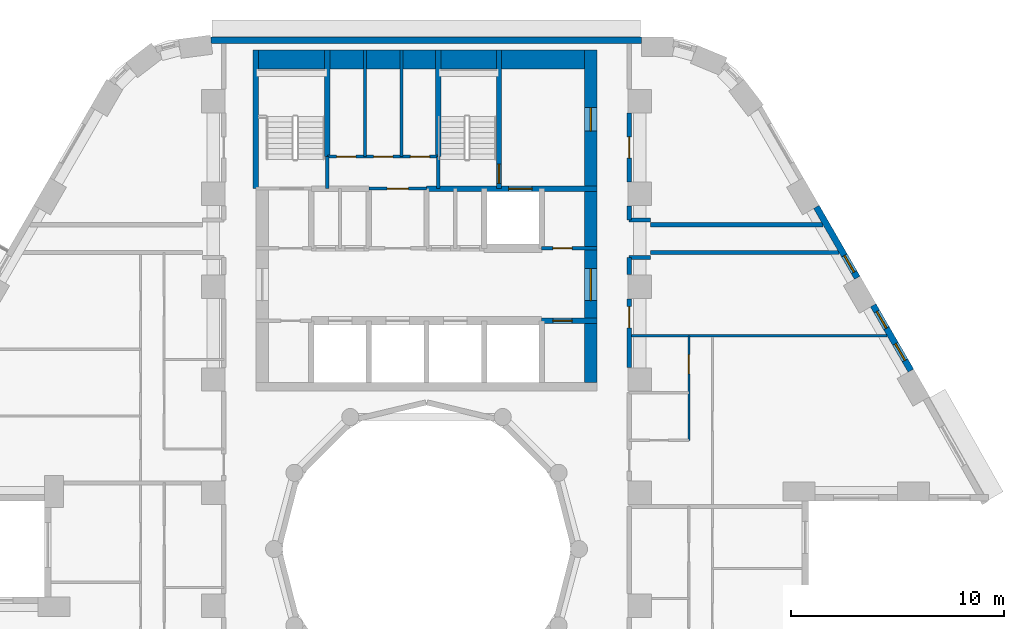
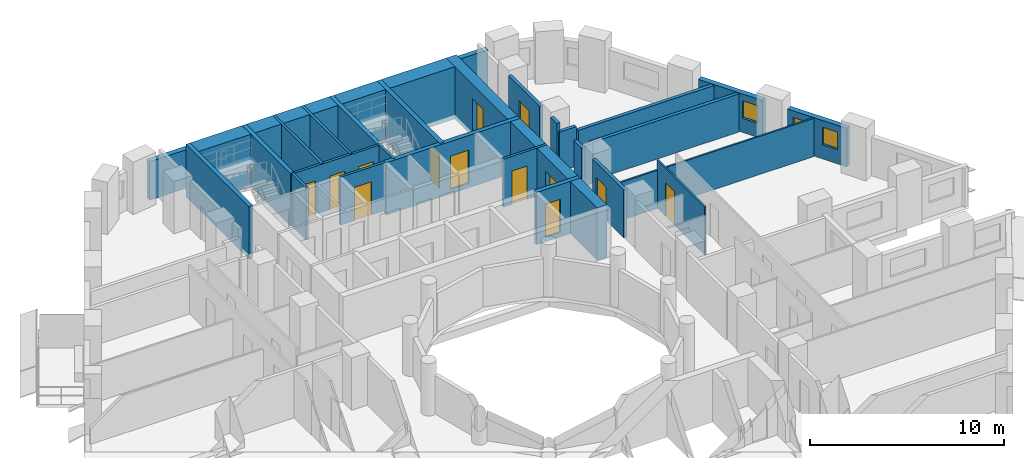
# One storey, part 8 of 13: 28 walls, 13 doors, 3 windows, 16 openings.
"""IFC4 building model written with IfcOpenShell, lengths in metres."""

from ifc_helpers import new_model, si_unit, direction, frame, frame_2d, origin, place, context, subcontext, project, spatial, rectangle, extrude, material, layer, layer_set, type_object, element, fill, save


model = new_model("IFC4")

# Units and contexts
model_context = context("Model", 3, precision=1e-05, world=origin(), true_north=direction((0.0, 1.0)))
body_context = subcontext(model_context, "Body", "Model", "MODEL_VIEW")
ifc_project = project(units=[si_unit("LENGTHUNIT", "METRE"), si_unit("AREAUNIT", "SQUARE_METRE"), si_unit("VOLUMEUNIT", "CUBIC_METRE"), si_unit("PLANEANGLEUNIT", "RADIAN"), si_unit("MASSUNIT", "GRAM", prefix="KILO")], contexts=[model_context])

# Site, building, storey
site_placement = place(None, origin())
site = spatial("IfcSite", under=ifc_project, at=site_placement, CompositionType="ELEMENT")
building_placement = place(site_placement, origin())
building = spatial("IfcBuilding", under=site, at=building_placement, Name="Nakaniwa Court", CompositionType="ELEMENT")
storey_placement = place(building_placement, frame((0.0, 0.0, 41.39990234375)))
storey = spatial("IfcBuildingStorey", under=building, at=storey_placement, Name="L10", CompositionType="ELEMENT", Elevation=41.39990234375)

# Wall, opening, door
ifc_material_1 = material(Name="Acoustic double stud partition")
ifc_layer_1 = layer(ifc_material_1, 0.199951171875)
ifc_layer_set_1 = layer_set([ifc_layer_1], Name="Acoustic double stud partition")
wall_type_1 = type_object("IfcWallType", Name="Acoustic double stud partition 200", PredefinedType="PARTITIONING", material=ifc_layer_set_1)
wall_1_placement = place(storey_placement, frame((89.5, 91.73291015625, 0.0), z_axis=(0.0, 0.0, 1.0), x_axis=(0.0, -1.0, 0.0)))
wall_1 = element("IfcWall", 1, at=wall_1_placement, inside=storey, type_object=wall_type_1, Name="Partition PW-080", PredefinedType="PARTITIONING", context=body_context, shape_type="SweptSolid", body=[
    extrude(rectangle(XDim=3.2158203125, YDim=0.199951171875, at=frame_2d((1.60791015625, 0.0))), origin(), (0.0, 0.0, 1.0), 3.025146484375),
])
opening_1_placement = place(wall_1_placement, frame((0.367919921875, 0.0, 0.0)))
opening_1 = element("IfcOpeningElement", 2, at=opening_1_placement, cuts=wall_1, Name="Opening D-02-06", PredefinedType="OPENING", context=body_context, shape_type="SweptSolid", body=[
    extrude(rectangle(XDim=1.0, YDim=2.10009765625, at=frame_2d((0.5, 1.050048828125))), frame((0.0, 0.10986328125, 0.0), z_axis=(0.0, -1.0, 0.0), x_axis=(1.0, 0.0, 0.0)), (0.0, 0.0, 1.0), 0.219970703125),
])
ifc_material_2 = material(Name="Solid core timber door set, black veneer", Category="wood")
door_type_1 = type_object("IfcDoorType", Name="Internal door 1000", OperationType="NOTDEFINED", PredefinedType="DOOR", material=ifc_material_2)
door_1_placement = place(opening_1_placement, origin())
door_1 = element("IfcDoor", 3, at=door_1_placement, inside=storey, type_object=door_type_1, Name="Door D-02-06 L10-058", OperationType="SINGLE_SWING_LEFT", OverallHeight=2.10009765625, OverallWidth=1.0, PredefinedType="DOOR", context=body_context, shape_type="SweptSolid", body=[
    extrude(rectangle(XDim=1.0, YDim=2.10009765625, at=frame_2d((0.5, 1.050048828125))), frame((0.0, 0.02490234375, 0.0), z_axis=(0.0, -1.0, 0.0), x_axis=(1.0, 0.0, 0.0)), (0.0, 0.0, 1.0), 0.050048828125),
])
fill(opening_1, door_1)

# Walls
wall_2_placement = place(storey_placement, frame((89.5, 92.866943359375, 0.0), z_axis=(0.0, 0.0, 1.0), x_axis=(0.0, 1.0, 0.0)))
element("IfcWall", 4, at=wall_2_placement, inside=storey, type_object=wall_type_1, Name="Partition PW-081", PredefinedType="PARTITIONING", context=body_context, shape_type="SweptSolid", body=[
    extrude(rectangle(XDim=0.81103515625, YDim=0.199951171875, at=frame_2d((0.405517578125, 0.0))), origin(), (0.0, 0.0, 1.0), 3.025146484375),
])
wall_3_placement = place(storey_placement, frame((89.5, 95.422119140625, 0.0), z_axis=(0.0, 0.0, 1.0), x_axis=(0.0, 1.0, 0.0)))
element("IfcWall", 5, at=wall_3_placement, inside=storey, type_object=wall_type_1, Name="Partition PW-082", PredefinedType="PARTITIONING", context=body_context, shape_type="SweptSolid", body=[
    extrude(rectangle(XDim=0.660888671875, YDim=0.199951171875, at=frame_2d((0.33056640625, 0.0))), origin(), (0.0, 0.0, 1.0), 3.025146484375),
])

# Wall, opening, door
wall_4_placement = place(storey_placement, frame((89.5, 100.43310546875, 0.0), z_axis=(0.0, 0.0, 1.0), x_axis=(0.0, -1.0, 0.0)))
wall_4 = element("IfcWall", 6, at=wall_4_placement, inside=storey, type_object=wall_type_1, Name="Partition PW-083", PredefinedType="PARTITIONING", context=body_context, shape_type="SweptSolid", body=[
    extrude(rectangle(XDim=3.216064453125, YDim=0.199951171875, at=frame_2d((1.60791015625, 0.0))), origin(), (0.0, 0.0, 1.0), 3.025146484375),
])
opening_2_placement = place(wall_4_placement, frame((1.10791015625, 0.0, 0.0)))
opening_2 = element("IfcOpeningElement", 7, at=opening_2_placement, cuts=wall_4, Name="Opening D-02-02", PredefinedType="OPENING", context=body_context, shape_type="SweptSolid", body=[
    extrude(rectangle(XDim=1.0, YDim=2.10009765625, at=frame_2d((0.5, 1.050048828125))), frame((0.0, 0.10986328125, 0.0), z_axis=(0.0, -1.0, 0.0), x_axis=(1.0, 0.0, 0.0)), (0.0, 0.0, 1.0), 0.219970703125),
])
door_2_placement = place(opening_2_placement, origin())
door_2 = element("IfcDoor", 8, at=door_2_placement, inside=storey, type_object=door_type_1, Name="Door D-02-02 L10-042", OperationType="SINGLE_SWING_LEFT", OverallHeight=2.10009765625, OverallWidth=1.0, PredefinedType="DOOR", context=body_context, shape_type="SweptSolid", body=[
    extrude(rectangle(XDim=1.0, YDim=2.10009765625, at=frame_2d((0.5, 1.050048828125))), frame((0.0, 0.02490234375, 0.0), z_axis=(0.0, -1.0, 0.0), x_axis=(1.0, 0.0, 0.0)), (0.0, 0.0, 1.0), 0.050048828125),
])
fill(opening_2, door_2)

# Walls
wall_5_placement = place(storey_placement, frame((89.5, 95.425048828125, 0.0), z_axis=(0.0, 0.0, 1.0), x_axis=(1.0, 0.0, 0.0)))
element("IfcWall", 9, at=wall_5_placement, inside=storey, type_object=wall_type_1, Name="Partition PW-086", PredefinedType="PARTITIONING", context=body_context, shape_type="SweptSolid", body=[
    extrude(rectangle(XDim=1.0, YDim=0.199951171875, at=frame_2d((0.5, 0.0))), origin(), (0.0, 0.0, 1.0), 2.505126953125),
])
wall_6_placement = place(storey_placement, frame((90.5, 95.199951171875, 0.0), z_axis=(0.0, 0.0, 1.0), x_axis=(1.0, 0.0, 0.0)))
element("IfcWall", 10, at=wall_6_placement, inside=storey, type_object=wall_type_1, Name="Partition PW-088", PredefinedType="PARTITIONING", context=body_context, shape_type="SweptSolid", body=[
    extrude(rectangle(XDim=8.0908203125, YDim=0.199951171875, at=frame_2d((4.04541015625, 0.0))), origin(), (0.0, 0.0, 1.0), 2.405029296875),
])
wall_7_placement = place(storey_placement, frame((90.5, 93.89990234375, 0.0), z_axis=(0.0, 0.0, 1.0), x_axis=(1.0, 0.0, 0.0)))
element("IfcWall", 11, at=wall_7_placement, inside=storey, type_object=wall_type_1, Name="Partition PW-090", PredefinedType="PARTITIONING", context=body_context, shape_type="SweptSolid", body=[
    extrude(rectangle(XDim=8.84130859375, YDim=0.199951171875, at=frame_2d((4.420654296875, 0.0))), origin(), (0.0, 0.0, 1.0), 2.405029296875),
])
wall_8_placement = place(storey_placement, frame((89.5, 93.675048828125, 0.0), z_axis=(0.0, 0.0, 1.0), x_axis=(1.0, 0.0, 0.0)))
element("IfcWall", 12, at=wall_8_placement, inside=storey, type_object=wall_type_1, Name="Partition PW-092", PredefinedType="PARTITIONING", context=body_context, shape_type="SweptSolid", body=[
    extrude(rectangle(XDim=1.0, YDim=0.199951171875, at=frame_2d((0.5, 0.0))), origin(), (0.0, 0.0, 1.0), 2.505126953125),
])

# Wall, openings, windows
ifc_material_3 = material(Name="Charcoal ceramic cladding")
ifc_layer_2 = layer(ifc_material_3, 0.02, Name="Ceramic cladding")
ifc_material_4 = material(Name="Ventilated air cavity")
ifc_layer_3 = layer(ifc_material_4, 0.04, ventilated=True, Name="Ventilated cavity")
ifc_material_5 = material(Name="Mineral wool insulation")
ifc_layer_4 = layer(ifc_material_5, 0.1, Name="Insulation")
ifc_material_6 = material(Name="Cement bonded sheathing board")
ifc_layer_5 = layer(ifc_material_6, 0.012, Name="Sheathing")
ifc_material_7 = material(Name="Cold-formed galvanised stud frame with mineral wool infill")
ifc_layer_6 = layer(ifc_material_7, 0.1, Name="Stud frame")
ifc_material_8 = material(Name="Fire-rated gypsum plasterboard lining")
ifc_layer_7 = layer(ifc_material_8, 0.028, Name="Lining")
ifc_layer_set_2 = layer_set([ifc_layer_2, ifc_layer_3, ifc_layer_4, ifc_layer_5, ifc_layer_6, ifc_layer_7], Name="Charcoal ceramic faced external wall system")
wall_type_2 = type_object("IfcWallType", Name="Black ceramic faced external wall 300", PredefinedType="SOLIDWALL", material=ifc_layer_set_2)
wall_9_placement = place(storey_placement, frame((102.709716796875, 88.36572265625, 0.0), z_axis=(0.0, 0.0, 1.0), x_axis=(-0.499977402622, 0.866038449993, 0.0)))
wall_9 = element("IfcWall", 13, at=wall_9_placement, inside=storey, type_object=wall_type_2, Name="L10 external wall 03", PredefinedType="SOLIDWALL", context=body_context, shape_type="SweptSolid", body=[
    extrude(rectangle(XDim=3.536865234375, YDim=0.300048828125, at=frame_2d((1.7685546875, 0.0))), origin(), (0.0, 0.0, 1.0), 2.425048828125),
])
opening_3_placement = place(wall_9_placement, frame((0.5546875, 0.0, 0.89990234375)))
opening_3 = element("IfcOpeningElement", 14, at=opening_3_placement, cuts=wall_9, Name="Opening W9.04", PredefinedType="OPENING", context=body_context, shape_type="SweptSolid", body=[
    extrude(rectangle(XDim=0.89990234375, YDim=1.10009765625, at=frame_2d((0.449951171875, 0.550048828125))), frame((0.0, 0.159912109375, 0.0), z_axis=(0.0, -1.0, 0.0), x_axis=(1.0, 0.0, 0.0)), (0.0, 0.0, 1.0), 0.320068359375),
])
opening_4_placement = place(wall_9_placement, frame((2.299072265625, 0.0, 0.89990234375)))
opening_4 = element("IfcOpeningElement", 15, at=opening_4_placement, cuts=wall_9, Name="Opening W9.05", PredefinedType="OPENING", context=body_context, shape_type="SweptSolid", body=[
    extrude(rectangle(XDim=0.89990234375, YDim=1.10009765625, at=frame_2d((0.449951171875, 0.550048828125))), frame((0.0, 0.159912109375, 0.0), z_axis=(0.0, -1.0, 0.0), x_axis=(1.0, 0.0, 0.0)), (0.0, 0.0, 1.0), 0.320068359375),
])
ifc_material_9 = material(Name="Black anodised aluminium frame with dark low-E laminated double glazing", Category="aluminium")
window_type = type_object("IfcWindowType", Name="Dark glass window 900x1100 sill 900", PartitioningType="SINGLE_PANEL", PredefinedType="WINDOW", material=ifc_material_9)
window_1_placement = place(opening_3_placement, origin())
window_1 = element("IfcWindow", 16, at=window_1_placement, inside=storey, type_object=window_type, Name="L10 living window 03-0", OverallHeight=1.10009765625, OverallWidth=0.89990234375, PartitioningType="SINGLE_PANEL", PredefinedType="WINDOW", context=body_context, shape_type="SweptSolid", body=[
    extrude(rectangle(XDim=0.89990234375, YDim=1.10009765625, at=frame_2d((0.449951171875, 0.550048828125))), frame((0.0, 0.030029296875, 0.0), z_axis=(0.0, -1.0, 0.0), x_axis=(1.0, 0.0, 0.0)), (0.0, 0.0, 1.0), 0.06005859375),
])
fill(opening_3, window_1)
window_2_placement = place(opening_4_placement, origin())
window_2 = element("IfcWindow", 17, at=window_2_placement, inside=storey, type_object=window_type, Name="L10 habitable room window 03-1", OverallHeight=1.10009765625, OverallWidth=0.89990234375, PartitioningType="SINGLE_PANEL", PredefinedType="WINDOW", context=body_context, shape_type="SweptSolid", body=[
    extrude(rectangle(XDim=0.89990234375, YDim=1.10009765625, at=frame_2d((0.449951171875, 0.550048828125))), frame((0.0, 0.030029296875, 0.0), z_axis=(0.0, -1.0, 0.0), x_axis=(1.0, 0.0, 0.0)), (0.0, 0.0, 1.0), 0.06005859375),
])
fill(opening_4, window_2)

# Wall, opening, window
wall_10_placement = place(storey_placement, frame((100.1953125, 92.720703125, 0.0), z_axis=(0.0, 0.0, 1.0), x_axis=(-0.500001735503, 0.866024401789, 0.0)))
wall_10 = element("IfcWall", 18, at=wall_10_placement, inside=storey, type_object=wall_type_2, Name="L10 external wall 04", PredefinedType="SOLIDWALL", context=body_context, shape_type="SweptSolid", body=[
    extrude(rectangle(XDim=3.833984375, YDim=0.300048828125, at=frame_2d((1.9169921875, 0.0))), origin(), (0.0, 0.0, 1.0), 2.425048828125),
])
opening_5_placement = place(wall_10_placement, frame((0.304931640625, 0.0, 0.89990234375)))
opening_5 = element("IfcOpeningElement", 19, at=opening_5_placement, cuts=wall_10, Name="Opening W9.06", PredefinedType="OPENING", context=body_context, shape_type="SweptSolid", body=[
    extrude(rectangle(XDim=0.89990234375, YDim=1.10009765625, at=frame_2d((0.449951171875, 0.550048828125))), frame((0.0, 0.159912109375, 0.0), z_axis=(0.0, -1.0, 0.0), x_axis=(1.0, 0.0, 0.0)), (0.0, 0.0, 1.0), 0.320068359375),
])
window_3_placement = place(opening_5_placement, origin())
window_3 = element("IfcWindow", 20, at=window_3_placement, inside=storey, type_object=window_type, Name="L10 habitable room window 04-0", OverallHeight=1.10009765625, OverallWidth=0.89990234375, PartitioningType="SINGLE_PANEL", PredefinedType="WINDOW", context=body_context, shape_type="SweptSolid", body=[
    extrude(rectangle(XDim=0.89990234375, YDim=1.10009765625, at=frame_2d((0.449951171875, 0.550048828125))), frame((0.0, 0.030029296875, 0.0), z_axis=(0.0, -1.0, 0.0), x_axis=(1.0, 0.0, 0.0)), (0.0, 0.0, 1.0), 0.06005859375),
])
fill(opening_5, window_3)

# Wall
wall_11_placement = place(storey_placement, frame((90.07861328125, 103.85009765625, 0.0), z_axis=(0.0, 0.0, 1.0), x_axis=(-1.0, 0.0, 0.0)))
element("IfcWall", 21, at=wall_11_placement, inside=storey, type_object=wall_type_2, Name="L10 external wall 08", PredefinedType="SOLIDWALL", context=body_context, shape_type="SweptSolid", body=[
    extrude(rectangle(XDim=20.1904296875, YDim=0.300048828125, at=frame_2d((10.09521484375, 0.0))), origin(), (0.0, 0.0, 1.0), 2.425048828125),
])

# Wall, opening, door
ifc_material_10 = material(Name="Blockwork partition", Category="masonry")
ifc_layer_8 = layer(ifc_material_10, 0.14990234375)
ifc_layer_set_3 = layer_set([ifc_layer_8], Name="Blockwork partition")
wall_type_3 = type_object("IfcWallType", Name="Blockwork partition 150", PredefinedType="PARTITIONING", material=ifc_layer_set_3)
wall_12_placement = place(storey_placement, frame((85.39697265625, 94.10009765625, 0.0), z_axis=(0.0, 0.0, 1.0), x_axis=(1.0, 0.0, 0.0)))
wall_12 = element("IfcWall", 22, at=wall_12_placement, inside=storey, type_object=wall_type_3, Name="Partition PW-018", PredefinedType="PARTITIONING", context=body_context, shape_type="SweptSolid", body=[
    extrude(rectangle(XDim=2.60302734375, YDim=0.14990234375, at=frame_2d((1.301513671875, 0.0))), origin(), (0.0, 0.0, 1.0), 3.025146484375),
])
opening_6_placement = place(wall_12_placement, frame((0.528076171875, 0.0, 0.0)))
opening_6 = element("IfcOpeningElement", 23, at=opening_6_placement, cuts=wall_12, Name="Opening D-05-07", PredefinedType="OPENING", context=body_context, shape_type="SweptSolid", body=[
    extrude(rectangle(XDim=0.89990234375, YDim=2.10009765625, at=frame_2d((0.449951171875, 1.050048828125))), frame((0.0, 0.0849609375, 0.0), z_axis=(0.0, -1.0, 0.0), x_axis=(1.0, 0.0, 0.0)), (0.0, 0.0, 1.0), 0.169921875),
])
ifc_material_11 = material(Name="Fire rated steel door set", Category="steel")
door_type_2 = type_object("IfcDoorType", Name="Service room door 900", OperationType="NOTDEFINED", PredefinedType="DOOR", material=ifc_material_11)
door_3_placement = place(opening_6_placement, origin())
door_3 = element("IfcDoor", 24, at=door_3_placement, inside=storey, type_object=door_type_2, Name="Door D-05-07 L10-009", OperationType="SINGLE_SWING_RIGHT", OverallHeight=2.10009765625, OverallWidth=0.89990234375, PredefinedType="DOOR", context=body_context, shape_type="SweptSolid", body=[
    extrude(rectangle(XDim=0.89990234375, YDim=2.10009765625, at=frame_2d((0.449951171875, 1.050048828125))), frame((0.0, 0.02490234375, 0.0), z_axis=(0.0, -1.0, 0.0), x_axis=(1.0, 0.0, 0.0)), (0.0, 0.0, 1.0), 0.050048828125),
])
fill(opening_6, door_3)

wall_13_placement = place(storey_placement, frame((77.300048828125, 96.89990234375, 0.0), z_axis=(0.0, 0.0, 1.0), x_axis=(1.0, 0.0, 0.0)))
wall_13 = element("IfcWall", 25, at=wall_13_placement, inside=storey, type_object=wall_type_3, Name="Partition PW-026", PredefinedType="PARTITIONING", context=body_context, shape_type="SweptSolid", body=[
    extrude(rectangle(XDim=2.699951171875, YDim=0.14990234375, at=frame_2d((1.35009765625, 0.0))), origin(), (0.0, 0.0, 1.0), 3.025146484375),
])
opening_7_placement = place(wall_13_placement, frame((0.85009765625, 0.0, 0.0)))
opening_7 = element("IfcOpeningElement", 26, at=opening_7_placement, cuts=wall_13, Name="Opening D-23-01", PredefinedType="OPENING", context=body_context, shape_type="SweptSolid", body=[
    extrude(rectangle(XDim=1.0, YDim=2.10009765625, at=frame_2d((0.5, 1.050048828125))), frame((0.0, 0.0849609375, 0.0), z_axis=(0.0, -1.0, 0.0), x_axis=(1.0, 0.0, 0.0)), (0.0, 0.0, 1.0), 0.169921875),
])
door_type_3 = type_object("IfcDoorType", Name="Service room door 1000", OperationType="NOTDEFINED", PredefinedType="DOOR", material=ifc_material_11)
door_4_placement = place(opening_7_placement, origin())
door_4 = element("IfcDoor", 27, at=door_4_placement, inside=storey, type_object=door_type_3, Name="Door D-23-01 L10-010", OperationType="SINGLE_SWING_LEFT", OverallHeight=2.10009765625, OverallWidth=1.0, PredefinedType="DOOR", context=body_context, shape_type="SweptSolid", body=[
    extrude(rectangle(XDim=1.0, YDim=2.10009765625, at=frame_2d((0.5, 1.050048828125))), frame((0.0, 0.02490234375, 0.0), z_axis=(0.0, -1.0, 0.0), x_axis=(1.0, 0.0, 0.0)), (0.0, 0.0, 1.0), 0.050048828125),
])
fill(opening_7, door_4)

# Wall, openings, doors
wall_14_placement = place(storey_placement, frame((75.35009765625, 98.39990234375, 0.0), z_axis=(0.0, 0.0, 1.0), x_axis=(1.0, 0.0, 0.0)))
wall_14 = element("IfcWall", 28, at=wall_14_placement, inside=storey, type_object=wall_type_3, Name="Partition PW-034", PredefinedType="PARTITIONING", context=body_context, shape_type="SweptSolid", body=[
    extrude(rectangle(XDim=5.199951171875, YDim=0.14990234375, at=frame_2d((2.60009765625, 0.0))), origin(), (0.0, 0.0, 1.0), 3.025146484375),
])
opening_8_placement = place(wall_14_placement, frame((0.43408203125, 0.0, 0.0)))
opening_8 = element("IfcOpeningElement", 29, at=opening_8_placement, cuts=wall_14, Name="Opening D-05-08", PredefinedType="OPENING", context=body_context, shape_type="SweptSolid", body=[
    extrude(rectangle(XDim=0.89990234375, YDim=2.10009765625, at=frame_2d((0.449951171875, 1.050048828125))), frame((0.0, 0.0849609375, 0.0), z_axis=(0.0, -1.0, 0.0), x_axis=(1.0, 0.0, 0.0)), (0.0, 0.0, 1.0), 0.169921875),
])
opening_9_placement = place(wall_14_placement, frame((2.176025390625, 0.0, 0.0)))
opening_9 = element("IfcOpeningElement", 30, at=opening_9_placement, cuts=wall_14, Name="Opening D-05-09", PredefinedType="OPENING", context=body_context, shape_type="SweptSolid", body=[
    extrude(rectangle(XDim=0.89990234375, YDim=2.10009765625, at=frame_2d((0.449951171875, 1.050048828125))), frame((0.0, 0.0849609375, 0.0), z_axis=(0.0, -1.0, 0.0), x_axis=(1.0, 0.0, 0.0)), (0.0, 0.0, 1.0), 0.169921875),
])
opening_10_placement = place(wall_14_placement, frame((3.89208984375, 0.0, 0.0)))
opening_10 = element("IfcOpeningElement", 31, at=opening_10_placement, cuts=wall_14, Name="Opening D-05-10", PredefinedType="OPENING", context=body_context, shape_type="SweptSolid", body=[
    extrude(rectangle(XDim=0.89990234375, YDim=2.10009765625, at=frame_2d((0.449951171875, 1.050048828125))), frame((0.0, 0.0849609375, 0.0), z_axis=(0.0, -1.0, 0.0), x_axis=(1.0, 0.0, 0.0)), (0.0, 0.0, 1.0), 0.169921875),
])
door_5_placement = place(opening_8_placement, origin())
door_5 = element("IfcDoor", 32, at=door_5_placement, inside=storey, type_object=door_type_2, Name="Door D-05-08 L10-011", OperationType="SINGLE_SWING_RIGHT", OverallHeight=2.10009765625, OverallWidth=0.89990234375, PredefinedType="DOOR", context=body_context, shape_type="SweptSolid", body=[
    extrude(rectangle(XDim=0.89990234375, YDim=2.10009765625, at=frame_2d((0.449951171875, 1.050048828125))), frame((0.0, 0.02490234375, 0.0), z_axis=(0.0, -1.0, 0.0), x_axis=(1.0, 0.0, 0.0)), (0.0, 0.0, 1.0), 0.050048828125),
])
fill(opening_8, door_5)
door_6_placement = place(opening_9_placement, origin())
door_6 = element("IfcDoor", 33, at=door_6_placement, inside=storey, type_object=door_type_2, Name="Door D-05-09 L10-012", OperationType="SINGLE_SWING_LEFT", OverallHeight=2.10009765625, OverallWidth=0.89990234375, PredefinedType="DOOR", context=body_context, shape_type="SweptSolid", body=[
    extrude(rectangle(XDim=0.89990234375, YDim=2.10009765625, at=frame_2d((0.449951171875, 1.050048828125))), frame((0.0, 0.02490234375, 0.0), z_axis=(0.0, -1.0, 0.0), x_axis=(1.0, 0.0, 0.0)), (0.0, 0.0, 1.0), 0.050048828125),
])
fill(opening_9, door_6)
door_7_placement = place(opening_10_placement, origin())
door_7 = element("IfcDoor", 34, at=door_7_placement, inside=storey, type_object=door_type_2, Name="Door D-05-10 L10-013", OperationType="SINGLE_SWING_RIGHT", OverallHeight=2.10009765625, OverallWidth=0.89990234375, PredefinedType="DOOR", context=body_context, shape_type="SweptSolid", body=[
    extrude(rectangle(XDim=0.89990234375, YDim=2.10009765625, at=frame_2d((0.449951171875, 1.050048828125))), frame((0.0, 0.02490234375, 0.0), z_axis=(0.0, -1.0, 0.0), x_axis=(1.0, 0.0, 0.0)), (0.0, 0.0, 1.0), 0.050048828125),
])
fill(opening_10, door_7)

# Walls
for number, where, z_axis, x_axis, name in (
    (35, (77.117919921875, 98.39990234375, 0.0), (0.0, 0.0, 1.0), (0.0, 1.0, 0.0), "Partition PW-035"),
    (36, (78.833984375, 98.39990234375, 0.0), (0.0, 0.0, 1.0), (0.0, 1.0, 0.0), "Partition PW-036"),
):
    element("IfcWall", number, at=place(storey_placement, frame(where, z_axis=z_axis, x_axis=x_axis)), inside=storey, type_object=wall_type_3, Name=name, PredefinedType="PARTITIONING", context=body_context, shape_type="SweptSolid", body=[
        extrude(rectangle(XDim=5.0, YDim=0.14990234375, at=frame_2d((2.5, 0.0))), origin(), (0.0, 0.0, 1.0), 3.025146484375),
    ])

# Wall, openings, doors
ifc_material_12 = material(Name="Concrete C100/115", Category="concrete")
ifc_layer_9 = layer(ifc_material_12, 0.60009765625)
ifc_layer_set_4 = layer_set([ifc_layer_9], Name="Concrete C100/115")
wall_type_4 = type_object("IfcWallType", Name="Concrete core side wall 600 C100", PredefinedType="SHEAR", material=ifc_layer_set_4)
wall_15_placement = place(storey_placement, frame((87.699951171875, 103.39990234375, -0.27490234375), z_axis=(0.0, 0.0, 1.0), x_axis=(0.0, -1.0, 0.0)))
wall_15 = element("IfcWall", 37, at=wall_15_placement, inside=storey, type_object=wall_type_4, Name="Core wall SW-15", PredefinedType="SHEAR", context=body_context, shape_type="SweptSolid", body=[
    extrude(rectangle(XDim=15.599853515625, YDim=0.60009765625, at=frame_2d((7.7998046875, 0.0))), origin(), (0.0, 0.0, 1.0), 3.300048828125),
])
opening_11_placement = place(wall_15_placement, frame((10.25, 0.0, 0.27490234375)))
opening_11 = element("IfcOpeningElement", 38, at=opening_11_placement, cuts=wall_15, Name="Opening D-07-01", PredefinedType="OPENING", context=body_context, shape_type="SweptSolid", body=[
    extrude(rectangle(XDim=1.5, YDim=2.10009765625, at=frame_2d((0.75, 1.050048828125))), frame((0.0, 0.31005859375, 0.0), z_axis=(0.0, -1.0, 0.0), x_axis=(1.0, 0.0, 0.0)), (0.0, 0.0, 1.0), 0.6201171875),
])
opening_12_placement = place(wall_15_placement, frame((2.699951171875, 0.0, 0.27490234375)))
opening_12 = element("IfcOpeningElement", 39, at=opening_12_placement, cuts=wall_15, Name="Opening D-10-01", PredefinedType="OPENING", context=body_context, shape_type="SweptSolid", body=[
    extrude(rectangle(XDim=1.10009765625, YDim=2.10009765625, at=frame_2d((0.550048828125, 1.050048828125))), frame((0.0, 0.31005859375, 0.0), z_axis=(0.0, -1.0, 0.0), x_axis=(1.0, 0.0, 0.0)), (0.0, 0.0, 1.0), 0.6201171875),
])
door_type_4 = type_object("IfcDoorType", Name="Firefighting lobby door 1100", OperationType="NOTDEFINED", PredefinedType="DOOR", material=ifc_material_11)
door_8_placement = place(opening_12_placement, origin())
door_8 = element("IfcDoor", 40, at=door_8_placement, inside=storey, type_object=door_type_4, Name="Door D-10-01 L10-062", OperationType="SINGLE_SWING_LEFT", OverallHeight=2.10009765625, OverallWidth=1.10009765625, PredefinedType="DOOR", context=body_context, shape_type="SweptSolid", body=[
    extrude(rectangle(XDim=1.10009765625, YDim=2.10009765625, at=frame_2d((0.550048828125, 1.050048828125))), frame((0.0, 0.02490234375, 0.0), z_axis=(0.0, -1.0, 0.0), x_axis=(1.0, 0.0, 0.0)), (0.0, 0.0, 1.0), 0.050048828125),
])
fill(opening_12, door_8)
ifc_material_13 = material(Name="Glazed fire rated steel double door set", Category="steel")
door_type_5 = type_object("IfcDoorType", Name="Lobby double door 1500", OperationType="NOTDEFINED", PredefinedType="DOOR", material=ifc_material_13)
door_9_placement = place(opening_11_placement, origin())
door_9 = element("IfcDoor", 41, at=door_9_placement, inside=storey, type_object=door_type_5, Name="Door D-07-01 L10-060", OperationType="DOUBLE_DOOR_SINGLE_SWING", OverallHeight=2.10009765625, OverallWidth=1.5, PredefinedType="DOOR", context=body_context, shape_type="SweptSolid", body=[
    extrude(rectangle(XDim=1.5, YDim=2.10009765625, at=frame_2d((0.75, 1.050048828125))), frame((0.0, 0.02490234375, 0.0), z_axis=(0.0, -1.0, 0.0), x_axis=(1.0, 0.0, 0.0)), (0.0, 0.0, 1.0), 0.050048828125),
])
fill(opening_11, door_9)

# Walls
ifc_layer_10 = layer(ifc_material_12, 0.14990234375)
ifc_layer_set_5 = layer_set([ifc_layer_10], Name="Concrete C100/115")
wall_type_5 = type_object("IfcWallType", Name="Concrete core wall 150 C100", PredefinedType="SHEAR", material=ifc_layer_set_5)
for number, where, z_axis, x_axis, name in (
    (42, (75.35009765625, 96.89990234375, -0.27490234375), (0.0, 0.0, 1.0), (0.0, 1.0, 0.0), "Core wall SW-28"),
    (43, (80.550048828125, 96.89990234375, -0.27490234375), (0.0, 0.0, 1.0), (0.0, 1.0, 0.0), "Core wall SW-32"),
):
    element("IfcWall", number, at=place(storey_placement, frame(where, z_axis=z_axis, x_axis=x_axis)), inside=storey, type_object=wall_type_5, Name=name, PredefinedType="SHEAR", context=body_context, shape_type="SweptSolid", body=[
        extrude(rectangle(XDim=1.503173828125, YDim=0.14990234375, at=frame_2d((0.75146484375, 0.0))), origin(), (0.0, 0.0, 1.0), 3.300048828125),
    ])
ifc_layer_11 = layer(ifc_material_12, 0.25)
ifc_layer_set_6 = layer_set([ifc_layer_11], Name="Concrete C100/115")
wall_type_6 = type_object("IfcWallType", Name="Concrete core wall 250 C100", PredefinedType="SHEAR", material=ifc_layer_set_6)
wall_16_placement = place(storey_placement, frame((72.0, 96.89990234375, -0.27490234375), z_axis=(0.0, 0.0, 1.0), x_axis=(0.0, 1.0, 0.0)))
element("IfcWall", 44, at=wall_16_placement, inside=storey, type_object=wall_type_6, Name="Core wall SW-30", PredefinedType="SHEAR", context=body_context, shape_type="SweptSolid", body=[
    extrude(rectangle(XDim=6.5, YDim=0.25, at=frame_2d((3.25, 0.0))), origin(), (0.0, 0.0, 1.0), 3.300048828125),
])
ifc_layer_12 = layer(ifc_material_12, 0.89990234375)
ifc_layer_set_7 = layer_set([ifc_layer_12], Name="Concrete C100/115")
wall_type_7 = type_object("IfcWallType", Name="Concrete core wall 900 C100", PredefinedType="SHEAR", material=ifc_layer_set_7)
wall_17_placement = place(storey_placement, frame((72.00390625, 102.949951171875, -0.27490234375), z_axis=(0.0, 0.0, 1.0), x_axis=(1.0, 0.0, 0.0)))
element("IfcWall", 45, at=wall_17_placement, inside=storey, type_object=wall_type_7, Name="Core wall SW-139", PredefinedType="SHEAR", context=body_context, shape_type="SweptSolid", body=[
    extrude(rectangle(XDim=15.9921875, YDim=0.89990234375, at=frame_2d((7.99609375, 0.0))), origin(), (0.0, 0.0, 1.0), 3.300048828125),
])

# Wall, opening, door
ifc_layer_13 = layer(ifc_material_12, 0.25)
ifc_layer_set_8 = layer_set([ifc_layer_13], Name="Concrete C100/115")
wall_type_8 = type_object("IfcWallType", Name="Concrete shaft wall 250 C100", PredefinedType="SHEAR", material=ifc_layer_set_8)
wall_18_placement = place(storey_placement, frame((88.0, 90.699951171875, -0.27490234375), z_axis=(0.0, 0.0, 1.0), x_axis=(-1.0, 0.0, 0.0)))
wall_18 = element("IfcWall", 46, at=wall_18_placement, inside=storey, type_object=wall_type_8, Name="Core wall SW-14", PredefinedType="SHEAR", context=body_context, shape_type="SweptSolid", body=[
    extrude(rectangle(XDim=2.60009765625, YDim=0.25, at=frame_2d((1.300048828125, 0.0))), origin(), (0.0, 0.0, 1.0), 3.300048828125),
])
opening_13_placement = place(wall_18_placement, frame((1.175048828125, 0.0, 0.27490234375)))
opening_13 = element("IfcOpeningElement", 47, at=opening_13_placement, cuts=wall_18, Name="Opening D-05-02", PredefinedType="OPENING", context=body_context, shape_type="SweptSolid", body=[
    extrude(rectangle(XDim=0.89990234375, YDim=2.10009765625, at=frame_2d((0.449951171875, 1.050048828125))), frame((0.0, 0.135009765625, 0.0), z_axis=(0.0, -1.0, 0.0), x_axis=(1.0, 0.0, 0.0)), (0.0, 0.0, 1.0), 0.27001953125),
])
door_10_placement = place(opening_13_placement, origin())
door_10 = element("IfcDoor", 48, at=door_10_placement, inside=storey, type_object=door_type_2, Name="Door D-05-02 L10-002", OperationType="SINGLE_SWING_LEFT", OverallHeight=2.10009765625, OverallWidth=0.89990234375, PredefinedType="DOOR", context=body_context, shape_type="SweptSolid", body=[
    extrude(rectangle(XDim=0.89990234375, YDim=2.10009765625, at=frame_2d((0.449951171875, 1.050048828125))), frame((0.0, 0.02490234375, 0.0), z_axis=(0.0, -1.0, 0.0), x_axis=(1.0, 0.0, 0.0)), (0.0, 0.0, 1.0), 0.050048828125),
])
fill(opening_13, door_10)

wall_19_placement = place(storey_placement, frame((80.0, 96.89990234375, -0.27490234375), z_axis=(0.0, 0.0, 1.0), x_axis=(1.0, 0.0, 0.0)))
wall_19 = element("IfcWall", 49, at=wall_19_placement, inside=storey, type_object=wall_type_8, Name="Core wall SW-25", PredefinedType="SHEAR", context=body_context, shape_type="SweptSolid", body=[
    extrude(rectangle(XDim=8.0, YDim=0.25, at=frame_2d((4.0, 0.0))), origin(), (0.0, 0.0, 1.0), 3.300048828125),
])
opening_14_placement = place(wall_19_placement, frame((3.84912109375, 0.0, 0.27490234375)))
opening_14 = element("IfcOpeningElement", 50, at=opening_14_placement, cuts=wall_19, Name="Opening LD04", PredefinedType="OPENING", context=body_context, shape_type="SweptSolid", body=[
    extrude(rectangle(XDim=1.10009765625, YDim=2.10009765625, at=frame_2d((0.550048828125, 1.050048828125))), frame((0.0, 0.135009765625, 0.0), z_axis=(0.0, -1.0, 0.0), x_axis=(1.0, 0.0, 0.0)), (0.0, 0.0, 1.0), 0.27001953125),
])
ifc_material_14 = material(Name="Stainless steel sliding lift landing door", Category="steel")
door_type_6 = type_object("IfcDoorType", Name="Lift landing door 1100", OperationType="NOTDEFINED", PredefinedType="DOOR", material=ifc_material_14)
door_11_placement = place(opening_14_placement, origin())
door_11 = element("IfcDoor", 51, at=door_11_placement, inside=storey, type_object=door_type_6, Name="Lift landing door LD04 L10-004", OperationType="SLIDING_TO_LEFT", OverallHeight=2.10009765625, OverallWidth=1.10009765625, PredefinedType="DOOR", context=body_context, shape_type="SweptSolid", body=[
    extrude(rectangle(XDim=1.10009765625, YDim=2.10009765625, at=frame_2d((0.550048828125, 1.050048828125))), frame((0.0, 0.02490234375, 0.0), z_axis=(0.0, -1.0, 0.0), x_axis=(1.0, 0.0, 0.0)), (0.0, 0.0, 1.0), 0.050048828125),
])
fill(opening_14, door_11)

# Wall
wall_20_placement = place(storey_placement, frame((75.35009765625, 98.39697265625, -0.27490234375), z_axis=(0.0, 0.0, 1.0), x_axis=(0.0, 1.0, 0.0)))
element("IfcWall", 52, at=wall_20_placement, inside=storey, type_object=wall_type_8, Name="Core wall SW-29", PredefinedType="SHEAR", context=body_context, shape_type="SweptSolid", body=[
    extrude(rectangle(XDim=5.0029296875, YDim=0.25, at=frame_2d((2.50146484375, 0.0))), origin(), (0.0, 0.0, 1.0), 3.300048828125),
])

# Wall, opening, door
wall_21_placement = place(storey_placement, frame((83.39990234375, 103.39990234375, -0.27490234375), z_axis=(0.0, 0.0, 1.0), x_axis=(0.0, -1.0, 0.0)))
wall_21 = element("IfcWall", 53, at=wall_21_placement, inside=storey, type_object=wall_type_8, Name="Core wall SW-31", PredefinedType="SHEAR", context=body_context, shape_type="SweptSolid", body=[
    extrude(rectangle(XDim=6.5, YDim=0.25, at=frame_2d((3.25, 0.0))), origin(), (0.0, 0.0, 1.0), 3.300048828125),
])
opening_15_placement = place(wall_21_placement, frame((5.35009765625, 0.0, 0.27490234375)))
opening_15 = element("IfcOpeningElement", 54, at=opening_15_placement, cuts=wall_21, Name="Opening D-11-01", PredefinedType="OPENING", context=body_context, shape_type="SweptSolid", body=[
    extrude(rectangle(XDim=0.89990234375, YDim=2.10009765625, at=frame_2d((0.449951171875, 1.050048828125))), frame((0.0, 0.135009765625, 0.0), z_axis=(0.0, -1.0, 0.0), x_axis=(1.0, 0.0, 0.0)), (0.0, 0.0, 1.0), 0.27001953125),
])
door_type_7 = type_object("IfcDoorType", Name="Stair door 900", OperationType="NOTDEFINED", PredefinedType="DOOR", material=ifc_material_11)
door_12_placement = place(opening_15_placement, origin())
door_12 = element("IfcDoor", 55, at=door_12_placement, inside=storey, type_object=door_type_7, Name="Door D-11-01 L10-015", OperationType="SINGLE_SWING_LEFT", OverallHeight=2.10009765625, OverallWidth=0.89990234375, PredefinedType="DOOR", context=body_context, shape_type="SweptSolid", body=[
    extrude(rectangle(XDim=0.89990234375, YDim=2.10009765625, at=frame_2d((0.449951171875, 1.050048828125))), frame((0.0, 0.02490234375, 0.0), z_axis=(0.0, -1.0, 0.0), x_axis=(1.0, 0.0, 0.0)), (0.0, 0.0, 1.0), 0.050048828125),
])
fill(opening_15, door_12)

# Wall
wall_22_placement = place(storey_placement, frame((80.550048828125, 98.39697265625, -0.27490234375), z_axis=(0.0, 0.0, 1.0), x_axis=(0.0, 1.0, 0.0)))
element("IfcWall", 56, at=wall_22_placement, inside=storey, type_object=wall_type_8, Name="Core wall SW-33", PredefinedType="SHEAR", context=body_context, shape_type="SweptSolid", body=[
    extrude(rectangle(XDim=5.0029296875, YDim=0.25, at=frame_2d((2.50146484375, 0.0))), origin(), (0.0, 0.0, 1.0), 3.300048828125),
])

# Wall, opening, door
ifc_material_15 = material(Name="Single stud plasterboard partition")
ifc_layer_14 = layer(ifc_material_15, 0.10009765625)
ifc_layer_set_9 = layer_set([ifc_layer_14], Name="Single stud plasterboard partition")
wall_type_9 = type_object("IfcWallType", Name="Single stud plasterboard partition 100", PredefinedType="PARTITIONING", material=ifc_layer_set_9)
wall_23_placement = place(storey_placement, frame((92.300048828125, 85.10009765625, 0.0), z_axis=(0.0, 0.0, 1.0), x_axis=(0.0, 1.0, 0.0)))
wall_23 = element("IfcWall", 57, at=wall_23_placement, inside=storey, type_object=wall_type_9, Name="Partition PW-117", PredefinedType="PARTITIONING", context=body_context, shape_type="SweptSolid", body=[
    extrude(rectangle(XDim=4.89990234375, YDim=0.10009765625, at=frame_2d((2.449951171875, 0.0))), origin(), (0.0, 0.0, 1.0), 3.025146484375),
])
opening_16_placement = place(wall_23_placement, frame((3.114013671875, 0.0, 0.0)))
opening_16 = element("IfcOpeningElement", 58, at=opening_16_placement, cuts=wall_23, Name="Opening D-33-05", PredefinedType="OPENING", context=body_context, shape_type="SweptSolid", body=[
    extrude(rectangle(XDim=0.89990234375, YDim=2.10009765625, at=frame_2d((0.449951171875, 1.050048828125))), frame((0.0, 0.06005859375, 0.0), z_axis=(0.0, -1.0, 0.0), x_axis=(1.0, 0.0, 0.0)), (0.0, 0.0, 1.0), 0.1201171875),
])
door_type_8 = type_object("IfcDoorType", Name="Internal door 900", OperationType="NOTDEFINED", PredefinedType="DOOR", material=ifc_material_2)
door_13_placement = place(opening_16_placement, origin())
door_13 = element("IfcDoor", 59, at=door_13_placement, inside=storey, type_object=door_type_8, Name="Door D-33-05 L10-040", OperationType="SINGLE_SWING_LEFT", OverallHeight=2.10009765625, OverallWidth=0.89990234375, PredefinedType="DOOR", context=body_context, shape_type="SweptSolid", body=[
    extrude(rectangle(XDim=0.89990234375, YDim=2.10009765625, at=frame_2d((0.449951171875, 1.050048828125))), frame((0.0, 0.02490234375, 0.0), z_axis=(0.0, -1.0, 0.0), x_axis=(1.0, 0.0, 0.0)), (0.0, 0.0, 1.0), 0.050048828125),
])
fill(opening_16, door_13)

# Wall
wall_24_placement = place(storey_placement, frame((89.5, 90.0, 0.0), z_axis=(0.0, 0.0, 1.0), x_axis=(1.0, 0.0, 0.0)))
element("IfcWall", 60, at=wall_24_placement, inside=storey, type_object=wall_type_9, Name="Partition PW-126", PredefinedType="PARTITIONING", context=body_context, shape_type="SweptSolid", body=[
    extrude(rectangle(XDim=12.093017578125, YDim=0.10009765625, at=frame_2d((6.04638671875, 0.0))), origin(), (0.0, 0.0, 1.0), 2.405029296875),
])

save(model, "model.ifc")
